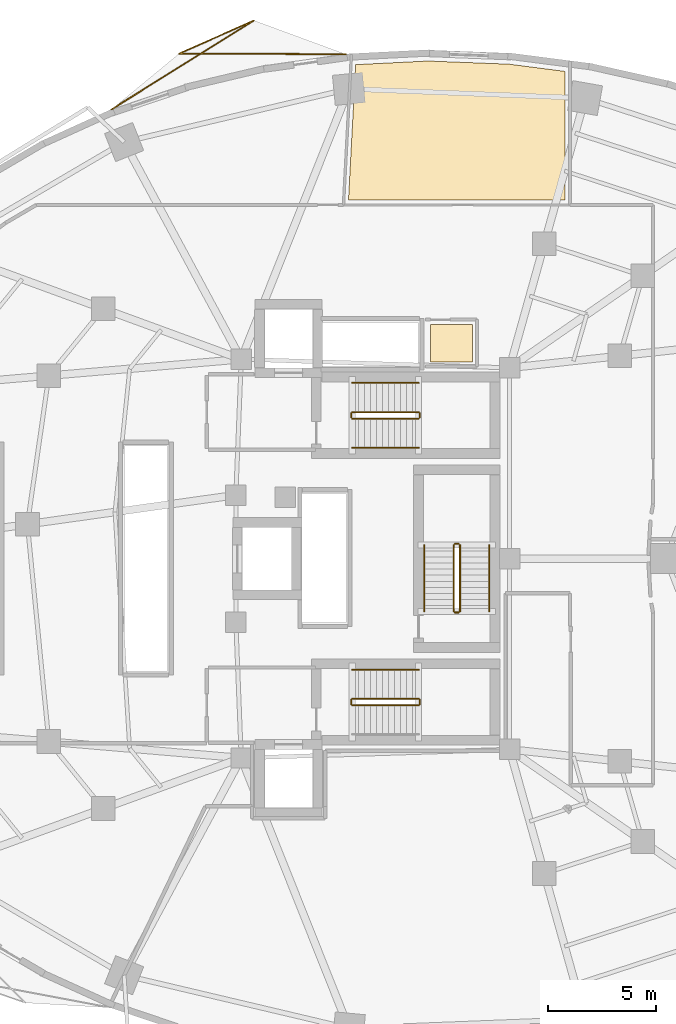
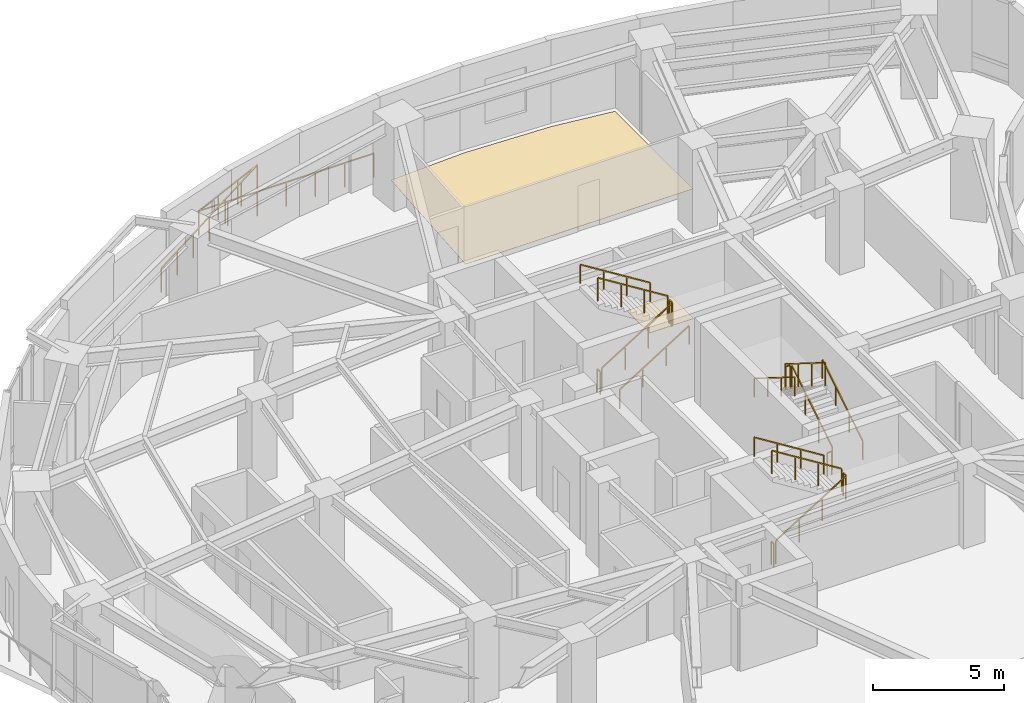
# One storey, part 13 of 13: 18 railings, 2 coverings.
"""IFC4 building model written with IfcOpenShell, lengths in metres."""

from ifc_helpers import new_model, si_unit, direction, frame, origin, origin_2d, place, context, subcontext, project, spatial, polyline, rectangle, outline, extrude, material, layer, layer_set, type_object, element, save


model = new_model("IFC4")

# Units and contexts
model_context = context("Model", 3, precision=1e-05, world=origin(), true_north=direction((0.0, 1.0)))
body_context = subcontext(model_context, "Body", "Model", "MODEL_VIEW")
ifc_project = project(units=[si_unit("LENGTHUNIT", "METRE"), si_unit("AREAUNIT", "SQUARE_METRE"), si_unit("VOLUMEUNIT", "CUBIC_METRE"), si_unit("PLANEANGLEUNIT", "RADIAN"), si_unit("MASSUNIT", "GRAM", prefix="KILO")], contexts=[model_context])

# Site, building, storey
site_placement = place(None, origin())
site = spatial("IfcSite", under=ifc_project, at=site_placement, CompositionType="ELEMENT")
building_placement = place(site_placement, origin())
building = spatial("IfcBuilding", under=site, at=building_placement, Name="Korentha Bioscience Tower", CompositionType="ELEMENT")
storey_placement = place(building_placement, frame((0.0, 0.0, 67.800048828125)))
storey = spatial("IfcBuildingStorey", under=building, at=storey_placement, Name="L15", CompositionType="ELEMENT", Elevation=67.800048828125)

# Covering
ifc_material_1 = material(Name="Vitrified Porcelain Tile", Category="ceramic")
ifc_layer_1 = layer(ifc_material_1, 0.014892578125, Name="Vitrified Porcelain Tile")
ifc_layer_set_1 = layer_set([ifc_layer_1], Name="Vitrified Porcelain Tile (FL-CER)")
covering_type_1 = type_object("IfcCoveringType", Name="Anti-Slip Ceramic Wet-Room Tile Flooring 15", PredefinedType="FLOORING", material=ifc_layer_set_1)
covering_1_placement = place(storey_placement, origin())
element("IfcCovering", 1, at=covering_1_placement, inside=storey, type_object=covering_type_1, Name="L15 Accessible Staff WC Floor Finish", PredefinedType="FLOORING", context=body_context, shape_type="SweptSolid", body=[
    extrude(outline(polyline([(33.8701171875, 37.8701171875), (35.820068359375, 37.869873046875), (35.820068359375, 36.1298828125), (33.8701171875, 36.1298828125), (33.8701171875, 37.8701171875)])), origin(), (0.0, 0.0, 1.0), 0.014892578125),
])

# Railings
ifc_material_2 = material(Name="Stainless Steel 304", Category="steel")
railing_type_1 = type_object("IfcRailingType", Name="Brushed Stainless Stair Handrail 900", PredefinedType="HANDRAIL", material=ifc_material_2)
railing_1_placement = place(storey_placement, frame((30.25, 32.14990234375, 0.175048828125)))
element("IfcRailing", 2, at=railing_1_placement, inside=storey, type_object=railing_type_1, Name="L15 ST-1 stair handrail 1", PredefinedType="HANDRAIL", context=body_context, shape_type="SweptSolid", body=[
    extrude(rectangle(XDim=0.048095703125, YDim=0.048095703125, at=origin_2d()), frame((0.0, 0.0, 0.8759765625), z_axis=(0.848028513186, 0.0, 0.529950602248), x_axis=(0.0, 1.0, 0.0)), (0.0, 0.0, 1.0), 3.632080078125),
    extrude(rectangle(XDim=0.0419921875, YDim=0.0419921875, at=origin_2d()), origin(), (0.0, 0.0, 1.0), 0.851806640625),
    extrude(rectangle(XDim=0.0419921875, YDim=0.0419921875, at=origin_2d()), frame((1.026611328125, 0.0, 0.6416015625)), (0.0, 0.0, 1.0), 0.851806640625),
    extrude(rectangle(XDim=0.0419921875, YDim=0.0419921875, at=origin_2d()), frame((2.053466796875, 0.0, 1.283203125)), (0.0, 0.0, 1.0), 0.851806640625),
    extrude(rectangle(XDim=0.0419921875, YDim=0.0419921875, at=origin_2d()), frame((3.080078125, 0.0, 1.9248046875)), (0.0, 0.0, 1.0), 0.851806640625),
])
for number, where, name in (
    (3, (33.330078125, 35.14990234375, 2.27490234375), "L15 ST-1 stair handrail 2"),
    (4, (33.330078125, 21.85009765625, 2.27490234375), "L15 ST-2 stair handrail 2"),
):
    element("IfcRailing", number, at=place(storey_placement, frame(where)), inside=storey, type_object=railing_type_1, Name=name, PredefinedType="HANDRAIL", context=body_context, shape_type="SweptSolid", body=[
        extrude(rectangle(XDim=0.048095703125, YDim=0.048095703125, at=origin_2d()), frame((0.0, 0.0, 0.8759765625), z_axis=(-0.847998304005, 0.0, 0.529998940003), x_axis=(0.0, -1.0, 0.0)), (0.0, 0.0, 1.0), 3.632080078125),
        extrude(rectangle(XDim=0.0419921875, YDim=0.0419921875, at=origin_2d()), origin(), (0.0, 0.0, 1.0), 0.851806640625),
        extrude(rectangle(XDim=0.0419921875, YDim=0.0419921875, at=origin_2d()), frame((-1.026611328125, 0.0, 0.6416015625)), (0.0, 0.0, 1.0), 0.851806640625),
        extrude(rectangle(XDim=0.0419921875, YDim=0.0419921875, at=origin_2d()), frame((-2.053466796875, 0.0, 1.283447265625)), (0.0, 0.0, 1.0), 0.851806640625),
        extrude(rectangle(XDim=0.0419921875, YDim=0.0419921875, at=origin_2d()), frame((-3.080078125, 0.0, 1.925048828125)), (0.0, 0.0, 1.0), 0.851806640625),
    ])
railing_2_placement = place(storey_placement, frame((36.60009765625, 24.550048828125, 0.175048828125)))
element("IfcRailing", 5, at=railing_2_placement, inside=storey, type_object=railing_type_1, Name="L15 ST-3 stair handrail 1", PredefinedType="HANDRAIL", context=body_context, shape_type="SweptSolid", body=[
    extrude(rectangle(XDim=0.048095703125, YDim=0.048095703125, at=origin_2d()), frame((0.0, 0.0, 0.8759765625), z_axis=(0.0, 0.848009633417, 0.529980812513), x_axis=(-1.0, 0.0, 0.0)), (0.0, 0.0, 1.0), 3.6318359375),
    extrude(rectangle(XDim=0.0419921875, YDim=0.0419921875, at=origin_2d()), origin(), (0.0, 0.0, 1.0), 0.851806640625),
    extrude(rectangle(XDim=0.0419921875, YDim=0.0419921875, at=origin_2d()), frame((0.0, 1.026611328125, 0.6416015625)), (0.0, 0.0, 1.0), 0.851806640625),
    extrude(rectangle(XDim=0.0419921875, YDim=0.0419921875, at=origin_2d()), frame((0.0, 2.05322265625, 1.283203125)), (0.0, 0.0, 1.0), 0.851806640625),
    extrude(rectangle(XDim=0.0419921875, YDim=0.0419921875, at=origin_2d()), frame((0.0, 3.079833984375, 1.9248046875)), (0.0, 0.0, 1.0), 0.851806640625),
])
railing_3_placement = place(storey_placement, frame((33.60009765625, 27.6298828125, 2.27490234375)))
element("IfcRailing", 6, at=railing_3_placement, inside=storey, type_object=railing_type_1, Name="L15 ST-3 stair handrail 2", PredefinedType="HANDRAIL", context=body_context, shape_type="SweptSolid", body=[
    extrude(rectangle(XDim=0.048095703125, YDim=0.048095703125, at=origin_2d()), frame((0.0, 0.0, 0.8759765625), z_axis=(0.0, -0.847979421464, 0.530029150871), x_axis=(1.0, 0.0, 0.0)), (0.0, 0.0, 1.0), 3.632080078125),
    extrude(rectangle(XDim=0.0419921875, YDim=0.0419921875, at=origin_2d()), origin(), (0.0, 0.0, 1.0), 0.851806640625),
    extrude(rectangle(XDim=0.0419921875, YDim=0.0419921875, at=origin_2d()), frame((0.0, -1.026611328125, 0.6416015625)), (0.0, 0.0, 1.0), 0.851806640625),
    extrude(rectangle(XDim=0.0419921875, YDim=0.0419921875, at=origin_2d()), frame((0.0, -2.05322265625, 1.283447265625)), (0.0, 0.0, 1.0), 0.851806640625),
    extrude(rectangle(XDim=0.0419921875, YDim=0.0419921875, at=origin_2d()), frame((0.0, -3.079833984375, 1.925048828125)), (0.0, 0.0, 1.0), 0.851806640625),
])
ifc_material_3 = material(Name="Laminated Tempered Safety Glass", Category="glass")
railing_type_2 = type_object("IfcRailingType", Name="Laminated Glass Balcony Guardrail 1150", PredefinedType="BALUSTRADE", material=ifc_material_3)
railing_4_placement = place(storey_placement, frame((29.94091796875, 50.406982421875, 0.0)))
element("IfcRailing", 7, at=railing_4_placement, inside=storey, type_object=railing_type_2, Name="L15 Balcony Guardrail 01", PredefinedType="BALUSTRADE", context=body_context, shape_type="SweptSolid", body=[
    extrude(rectangle(XDim=0.048095703125, YDim=0.048095703125, at=origin_2d()), frame((0.0, 0.0, 1.1259765625), z_axis=(-0.99999656231, 0.002622092458, 0.0), x_axis=(-0.002622092458, -0.99999656231, 0.0)), (0.0, 0.0, 1.0), 7.72802734375),
    extrude(rectangle(XDim=0.048095703125, YDim=0.048095703125, at=origin_2d()), frame((-7.72802734375, 0.020263671875, 1.1259765625), z_axis=(0.914279144248, 0.405084739769, 0.0), x_axis=(-0.405084739769, 0.914279144248, 0.0)), (0.0, 0.0, 1.0), 3.805908203125),
    extrude(rectangle(XDim=0.048095703125, YDim=0.048095703125, at=origin_2d()), frame((-4.248291015625, 1.56201171875, 1.1259765625), z_axis=(-0.848418038492, -0.529326772383, 0.0), x_axis=(0.529326772383, -0.848418038492, 0.0)), (0.0, 0.0, 1.0), 7.804931640625),
    extrude(rectangle(XDim=0.0419921875, YDim=0.0419921875, at=origin_2d()), origin(), (0.0, 0.0, 1.0), 1.101806640625),
    extrude(rectangle(XDim=0.0419921875, YDim=0.0419921875, at=origin_2d()), frame((-1.2880859375, 0.00341796875, 0.0)), (0.0, 0.0, 1.0), 1.101806640625),
    extrude(rectangle(XDim=0.0419921875, YDim=0.0419921875, at=origin_2d()), frame((-2.575927734375, 0.0068359375, 0.0)), (0.0, 0.0, 1.0), 1.101806640625),
    extrude(rectangle(XDim=0.0419921875, YDim=0.0419921875, at=origin_2d()), frame((-3.864013671875, 0.01025390625, 0.0)), (0.0, 0.0, 1.0), 1.101806640625),
    extrude(rectangle(XDim=0.0419921875, YDim=0.0419921875, at=origin_2d()), frame((-5.152099609375, 0.013427734375, 0.0)), (0.0, 0.0, 1.0), 1.101806640625),
    extrude(rectangle(XDim=0.0419921875, YDim=0.0419921875, at=origin_2d()), frame((-6.43994140625, 0.016845703125, 0.0)), (0.0, 0.0, 1.0), 1.101806640625),
    extrude(rectangle(XDim=0.0419921875, YDim=0.0419921875, at=origin_2d()), frame((-7.72802734375, 0.020263671875, 0.0)), (0.0, 0.0, 1.0), 1.101806640625),
    extrude(rectangle(XDim=0.0419921875, YDim=0.0419921875, at=origin_2d()), frame((-6.568115234375, 0.5341796875, 0.0)), (0.0, 0.0, 1.0), 1.101806640625),
    extrude(rectangle(XDim=0.0419921875, YDim=0.0419921875, at=origin_2d()), frame((-5.408203125, 1.048095703125, 0.0)), (0.0, 0.0, 1.0), 1.101806640625),
    extrude(rectangle(XDim=0.0419921875, YDim=0.0419921875, at=origin_2d()), frame((-4.248291015625, 1.56201171875, 0.0)), (0.0, 0.0, 1.0), 1.101806640625),
    extrude(rectangle(XDim=0.0419921875, YDim=0.0419921875, at=origin_2d()), frame((-5.35205078125, 0.87353515625, 0.0)), (0.0, 0.0, 1.0), 1.101806640625),
    extrude(rectangle(XDim=0.0419921875, YDim=0.0419921875, at=origin_2d()), frame((-6.45556640625, 0.184814453125, 0.0)), (0.0, 0.0, 1.0), 1.101806640625),
    extrude(rectangle(XDim=0.0419921875, YDim=0.0419921875, at=origin_2d()), frame((-7.55908203125, -0.503662109375, 0.0)), (0.0, 0.0, 1.0), 1.101806640625),
    extrude(rectangle(XDim=0.0419921875, YDim=0.0419921875, at=origin_2d()), frame((-8.662841796875, -1.192138671875, 0.0)), (0.0, 0.0, 1.0), 1.101806640625),
    extrude(rectangle(XDim=0.0419921875, YDim=0.0419921875, at=origin_2d()), frame((-9.7666015625, -1.880859375, 0.0)), (0.0, 0.0, 1.0), 1.101806640625),
    extrude(rectangle(XDim=0.0419921875, YDim=0.0419921875, at=origin_2d()), frame((-10.8701171875, -2.5693359375, 0.0)), (0.0, 0.0, 1.0), 1.101806640625),
])
ifc_material_4 = material(Name="Painted Steel S275", Category="steel")
railing_type_3 = type_object("IfcRailingType", Name="Painted Steel Stair Well Guardrail 1100", PredefinedType="GUARDRAIL", material=ifc_material_4)
railing_5_placement = place(storey_placement, frame((30.25, 33.5, 0.175048828125)))
element("IfcRailing", 8, at=railing_5_placement, inside=storey, type_object=railing_type_3, Name="L15 ST-1 stair guard 1", PredefinedType="GUARDRAIL", context=body_context, shape_type="SweptSolid", body=[
    extrude(rectangle(XDim=0.048095703125, YDim=0.048095703125, at=origin_2d()), frame((0.0, 0.0, 1.076171875), z_axis=(0.848028513186, 0.0, 0.529950602248), x_axis=(0.0, 1.0, 0.0)), (0.0, 0.0, 1.0), 3.632080078125),
    extrude(rectangle(XDim=0.0419921875, YDim=0.0419921875, at=origin_2d()), origin(), (0.0, 0.0, 1.0), 1.052001953125),
    extrude(rectangle(XDim=0.0419921875, YDim=0.0419921875, at=origin_2d()), frame((1.026611328125, 0.0, 0.6416015625)), (0.0, 0.0, 1.0), 1.052001953125),
    extrude(rectangle(XDim=0.0419921875, YDim=0.0419921875, at=origin_2d()), frame((2.053466796875, 0.0, 1.283203125)), (0.0, 0.0, 1.0), 1.052001953125),
    extrude(rectangle(XDim=0.0419921875, YDim=0.0419921875, at=origin_2d()), frame((3.080078125, 0.0, 1.9248046875)), (0.0, 0.0, 1.0), 1.052001953125),
])
railing_6_placement = place(storey_placement, frame((33.3798828125, 33.550048828125, 2.099853515625)))
element("IfcRailing", 9, at=railing_6_placement, inside=storey, type_object=railing_type_3, Name="L15 ST-1 stair guard 2", PredefinedType="GUARDRAIL", context=body_context, shape_type="SweptSolid", body=[
    extrude(rectangle(XDim=0.048095703125, YDim=0.048095703125, at=origin_2d()), frame((0.0, 0.0, 1.076171875), z_axis=(0.0, 1.0, 0.0), x_axis=(-1.0, 0.0, 0.0)), (0.0, 0.0, 1.0), 0.199951171875),
    extrude(rectangle(XDim=0.0419921875, YDim=0.0419921875, at=origin_2d()), origin(), (0.0, 0.0, 1.0), 1.052001953125),
    extrude(rectangle(XDim=0.0419921875, YDim=0.0419921875, at=origin_2d()), frame((0.0, 0.199951171875, 0.0)), (0.0, 0.0, 1.0), 1.052001953125),
])
railing_7_placement = place(storey_placement, frame((33.330078125, 33.800048828125, 2.27490234375)))
element("IfcRailing", 10, at=railing_7_placement, inside=storey, type_object=railing_type_3, Name="L15 ST-1 stair guard 3", PredefinedType="GUARDRAIL", context=body_context, shape_type="SweptSolid", body=[
    extrude(rectangle(XDim=0.048095703125, YDim=0.048095703125, at=origin_2d()), frame((0.0, 0.0, 1.076171875), z_axis=(-0.847998304005, 0.0, 0.529998940003), x_axis=(0.0, -1.0, 0.0)), (0.0, 0.0, 1.0), 3.632080078125),
    extrude(rectangle(XDim=0.0419921875, YDim=0.0419921875, at=origin_2d()), origin(), (0.0, 0.0, 1.0), 1.052001953125),
    extrude(rectangle(XDim=0.0419921875, YDim=0.0419921875, at=origin_2d()), frame((-1.026611328125, 0.0, 0.6416015625)), (0.0, 0.0, 1.0), 1.052001953125),
    extrude(rectangle(XDim=0.0419921875, YDim=0.0419921875, at=origin_2d()), frame((-2.053466796875, 0.0, 1.283447265625)), (0.0, 0.0, 1.0), 1.052001953125),
    extrude(rectangle(XDim=0.0419921875, YDim=0.0419921875, at=origin_2d()), frame((-3.080078125, 0.0, 1.925048828125)), (0.0, 0.0, 1.0), 1.052001953125),
])
railing_8_placement = place(storey_placement, frame((30.199951171875, 33.550048828125, 0.0)))
element("IfcRailing", 11, at=railing_8_placement, inside=storey, type_object=railing_type_3, Name="L15 ST-1 stair guard 4", PredefinedType="GUARDRAIL", context=body_context, shape_type="SweptSolid", body=[
    extrude(rectangle(XDim=0.048095703125, YDim=0.048095703125, at=origin_2d()), frame((0.0, 0.0, 1.076171875), z_axis=(0.0, 1.0, 0.0), x_axis=(-1.0, 0.0, 0.0)), (0.0, 0.0, 1.0), 0.199951171875),
    extrude(rectangle(XDim=0.0419921875, YDim=0.0419921875, at=origin_2d()), origin(), (0.0, 0.0, 1.0), 1.052001953125),
    extrude(rectangle(XDim=0.0419921875, YDim=0.0419921875, at=origin_2d()), frame((0.0, 0.199951171875, 0.0)), (0.0, 0.0, 1.0), 1.052001953125),
])
railing_9_placement = place(storey_placement, frame((30.25, 20.199951171875, 0.175048828125)))
element("IfcRailing", 12, at=railing_9_placement, inside=storey, type_object=railing_type_3, Name="L15 ST-2 stair guard 1", PredefinedType="GUARDRAIL", context=body_context, shape_type="SweptSolid", body=[
    extrude(rectangle(XDim=0.048095703125, YDim=0.048095703125, at=origin_2d()), frame((0.0, 0.0, 1.076171875), z_axis=(0.848028513186, 0.0, 0.529950602248), x_axis=(0.0, 1.0, 0.0)), (0.0, 0.0, 1.0), 3.632080078125),
    extrude(rectangle(XDim=0.0419921875, YDim=0.0419921875, at=origin_2d()), origin(), (0.0, 0.0, 1.0), 1.052001953125),
    extrude(rectangle(XDim=0.0419921875, YDim=0.0419921875, at=origin_2d()), frame((1.026611328125, 0.0, 0.6416015625)), (0.0, 0.0, 1.0), 1.052001953125),
    extrude(rectangle(XDim=0.0419921875, YDim=0.0419921875, at=origin_2d()), frame((2.053466796875, 0.0, 1.283203125)), (0.0, 0.0, 1.0), 1.052001953125),
    extrude(rectangle(XDim=0.0419921875, YDim=0.0419921875, at=origin_2d()), frame((3.080078125, 0.0, 1.9248046875)), (0.0, 0.0, 1.0), 1.052001953125),
])
railing_10_placement = place(storey_placement, frame((33.3798828125, 20.25, 2.099853515625)))
element("IfcRailing", 13, at=railing_10_placement, inside=storey, type_object=railing_type_3, Name="L15 ST-2 stair guard 2", PredefinedType="GUARDRAIL", context=body_context, shape_type="SweptSolid", body=[
    extrude(rectangle(XDim=0.048095703125, YDim=0.048095703125, at=origin_2d()), frame((0.0, 0.0, 1.076171875), z_axis=(0.0, 1.0, 0.0), x_axis=(-1.0, 0.0, 0.0)), (0.0, 0.0, 1.0), 0.199951171875),
    extrude(rectangle(XDim=0.0419921875, YDim=0.0419921875, at=origin_2d()), origin(), (0.0, 0.0, 1.0), 1.052001953125),
    extrude(rectangle(XDim=0.0419921875, YDim=0.0419921875, at=origin_2d()), frame((0.0, 0.199951171875, 0.0)), (0.0, 0.0, 1.0), 1.052001953125),
])
railing_11_placement = place(storey_placement, frame((33.330078125, 20.5, 2.27490234375)))
element("IfcRailing", 14, at=railing_11_placement, inside=storey, type_object=railing_type_3, Name="L15 ST-2 stair guard 3", PredefinedType="GUARDRAIL", context=body_context, shape_type="SweptSolid", body=[
    extrude(rectangle(XDim=0.048095703125, YDim=0.048095703125, at=origin_2d()), frame((0.0, 0.0, 1.076171875), z_axis=(-0.847998304005, 0.0, 0.529998940003), x_axis=(0.0, -1.0, 0.0)), (0.0, 0.0, 1.0), 3.632080078125),
    extrude(rectangle(XDim=0.0419921875, YDim=0.0419921875, at=origin_2d()), origin(), (0.0, 0.0, 1.0), 1.052001953125),
    extrude(rectangle(XDim=0.0419921875, YDim=0.0419921875, at=origin_2d()), frame((-1.026611328125, 0.0, 0.6416015625)), (0.0, 0.0, 1.0), 1.052001953125),
    extrude(rectangle(XDim=0.0419921875, YDim=0.0419921875, at=origin_2d()), frame((-2.053466796875, 0.0, 1.283447265625)), (0.0, 0.0, 1.0), 1.052001953125),
    extrude(rectangle(XDim=0.0419921875, YDim=0.0419921875, at=origin_2d()), frame((-3.080078125, 0.0, 1.925048828125)), (0.0, 0.0, 1.0), 1.052001953125),
])
railing_12_placement = place(storey_placement, frame((30.199951171875, 20.25, 0.0)))
element("IfcRailing", 15, at=railing_12_placement, inside=storey, type_object=railing_type_3, Name="L15 ST-2 stair guard 4", PredefinedType="GUARDRAIL", context=body_context, shape_type="SweptSolid", body=[
    extrude(rectangle(XDim=0.048095703125, YDim=0.048095703125, at=origin_2d()), frame((0.0, 0.0, 1.076171875), z_axis=(0.0, 1.0, 0.0), x_axis=(-1.0, 0.0, 0.0)), (0.0, 0.0, 1.0), 0.199951171875),
    extrude(rectangle(XDim=0.0419921875, YDim=0.0419921875, at=origin_2d()), origin(), (0.0, 0.0, 1.0), 1.052001953125),
    extrude(rectangle(XDim=0.0419921875, YDim=0.0419921875, at=origin_2d()), frame((0.0, 0.199951171875, 0.0)), (0.0, 0.0, 1.0), 1.052001953125),
])
railing_13_placement = place(storey_placement, frame((35.25, 24.550048828125, 0.175048828125)))
element("IfcRailing", 16, at=railing_13_placement, inside=storey, type_object=railing_type_3, Name="L15 ST-3 stair guard 1", PredefinedType="GUARDRAIL", context=body_context, shape_type="SweptSolid", body=[
    extrude(rectangle(XDim=0.048095703125, YDim=0.048095703125, at=origin_2d()), frame((0.0, 0.0, 1.076171875), z_axis=(0.0, 0.848009633417, 0.529980812513), x_axis=(-1.0, 0.0, 0.0)), (0.0, 0.0, 1.0), 3.6318359375),
    extrude(rectangle(XDim=0.0419921875, YDim=0.0419921875, at=origin_2d()), origin(), (0.0, 0.0, 1.0), 1.052001953125),
    extrude(rectangle(XDim=0.0419921875, YDim=0.0419921875, at=origin_2d()), frame((0.0, 1.026611328125, 0.6416015625)), (0.0, 0.0, 1.0), 1.052001953125),
    extrude(rectangle(XDim=0.0419921875, YDim=0.0419921875, at=origin_2d()), frame((0.0, 2.05322265625, 1.283203125)), (0.0, 0.0, 1.0), 1.052001953125),
    extrude(rectangle(XDim=0.0419921875, YDim=0.0419921875, at=origin_2d()), frame((0.0, 3.079833984375, 1.9248046875)), (0.0, 0.0, 1.0), 1.052001953125),
])
railing_14_placement = place(storey_placement, frame((35.199951171875, 27.679931640625, 2.099853515625)))
element("IfcRailing", 17, at=railing_14_placement, inside=storey, type_object=railing_type_3, Name="L15 ST-3 stair guard 2", PredefinedType="GUARDRAIL", context=body_context, shape_type="SweptSolid", body=[
    extrude(rectangle(XDim=0.048095703125, YDim=0.048095703125, at=origin_2d()), frame((0.0, 0.0, 1.076171875), z_axis=(-1.0, 0.0, 0.0), x_axis=(0.0, -1.0, 0.0)), (0.0, 0.0, 1.0), 0.199951171875),
    extrude(rectangle(XDim=0.0419921875, YDim=0.0419921875, at=origin_2d()), origin(), (0.0, 0.0, 1.0), 1.052001953125),
    extrude(rectangle(XDim=0.0419921875, YDim=0.0419921875, at=origin_2d()), frame((-0.199951171875, 0.0, 0.0)), (0.0, 0.0, 1.0), 1.052001953125),
])
railing_15_placement = place(storey_placement, frame((34.949951171875, 27.6298828125, 2.27490234375)))
element("IfcRailing", 18, at=railing_15_placement, inside=storey, type_object=railing_type_3, Name="L15 ST-3 stair guard 3", PredefinedType="GUARDRAIL", context=body_context, shape_type="SweptSolid", body=[
    extrude(rectangle(XDim=0.048095703125, YDim=0.048095703125, at=origin_2d()), frame((0.0, 0.0, 1.076171875), z_axis=(0.0, -0.847979421464, 0.530029150871), x_axis=(1.0, 0.0, 0.0)), (0.0, 0.0, 1.0), 3.632080078125),
    extrude(rectangle(XDim=0.0419921875, YDim=0.0419921875, at=origin_2d()), origin(), (0.0, 0.0, 1.0), 1.052001953125),
    extrude(rectangle(XDim=0.0419921875, YDim=0.0419921875, at=origin_2d()), frame((0.0, -1.026611328125, 0.6416015625)), (0.0, 0.0, 1.0), 1.052001953125),
    extrude(rectangle(XDim=0.0419921875, YDim=0.0419921875, at=origin_2d()), frame((0.0, -2.05322265625, 1.283447265625)), (0.0, 0.0, 1.0), 1.052001953125),
    extrude(rectangle(XDim=0.0419921875, YDim=0.0419921875, at=origin_2d()), frame((0.0, -3.079833984375, 1.925048828125)), (0.0, 0.0, 1.0), 1.052001953125),
])
railing_16_placement = place(storey_placement, frame((35.199951171875, 24.5, 0.0)))
element("IfcRailing", 19, at=railing_16_placement, inside=storey, type_object=railing_type_3, Name="L15 ST-3 stair guard 4", PredefinedType="GUARDRAIL", context=body_context, shape_type="SweptSolid", body=[
    extrude(rectangle(XDim=0.048095703125, YDim=0.048095703125, at=origin_2d()), frame((0.0, 0.0, 1.076171875), z_axis=(-1.0, 0.0, 0.0), x_axis=(0.0, -1.0, 0.0)), (0.0, 0.0, 1.0), 0.199951171875),
    extrude(rectangle(XDim=0.0419921875, YDim=0.0419921875, at=origin_2d()), origin(), (0.0, 0.0, 1.0), 1.052001953125),
    extrude(rectangle(XDim=0.0419921875, YDim=0.0419921875, at=origin_2d()), frame((-0.199951171875, 0.0, 0.0)), (0.0, 0.0, 1.0), 1.052001953125),
])

# Covering
ifc_material_5 = material(Name="Chemical-Resistant Epoxy Resin", Category="polymer")
ifc_layer_2 = layer(ifc_material_5, 0.011962890625, Name="Chemical-Resistant Epoxy Resin")
ifc_layer_set_2 = layer_set([ifc_layer_2], Name="Chemical-Resistant Epoxy Resin (FL-EPX)")
covering_type_2 = type_object("IfcCoveringType", Name="Seamless Epoxy Laboratory Flooring 12", PredefinedType="FLOORING", material=ifc_layer_set_2)
covering_2_placement = place(storey_placement, origin())
element("IfcCovering", 20, at=covering_2_placement, inside=storey, type_object=covering_type_2, Name="L15 Research Colloquium Seminar Room 04 Floor Finish", PredefinedType="FLOORING", context=body_context, shape_type="SweptSolid", body=[
    extrude(outline(polyline([(33.756103515625, 50.0888671875), (37.5263671875, 49.942138671875), (40.1220703125, 49.606201171875), (40.1220703125, 43.6298828125), (30.075439453125, 43.6298828125), (30.407958984375, 49.919921875), (33.756103515625, 50.0888671875)])), origin(), (0.0, 0.0, 1.0), 0.011962890625),
])

save(model, "model.ifc")
